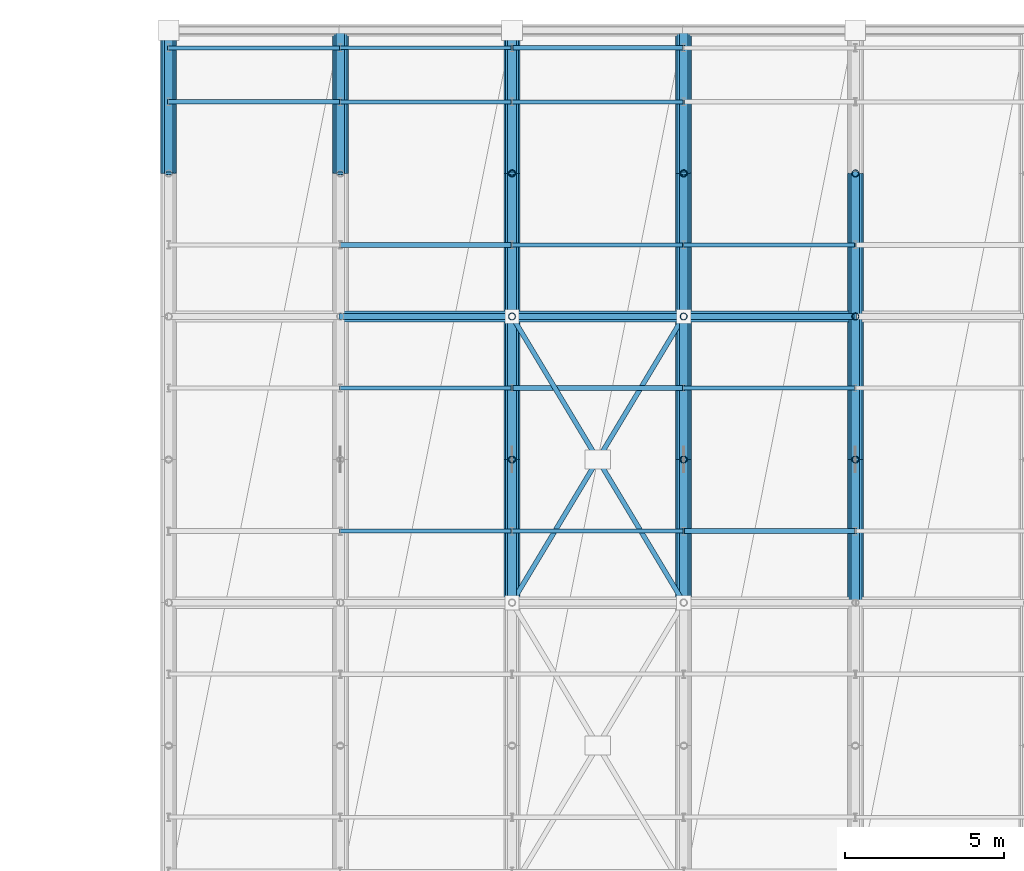
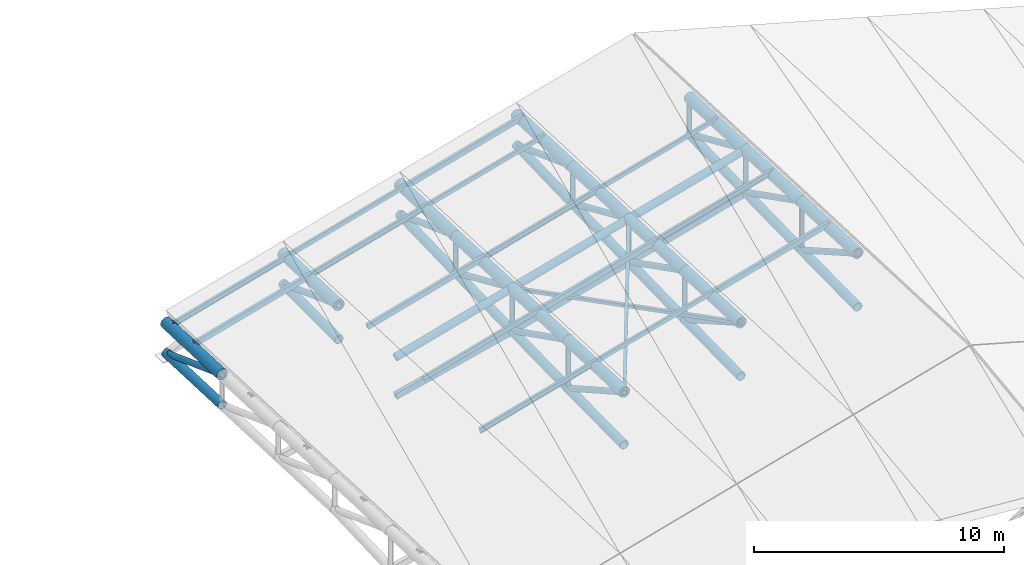
# One storey, part 15 of 109: 46 members, 26 beams.
"""IFC4 building model written with IfcOpenShell, lengths in metres."""

from ifc_helpers import new_model, si_unit, direction, frame, origin, origin_2d, place, context, subcontext, project, spatial, hollow_rectangle, hollow_circle, i_section, extrude, material, material_profile, profile_set, type_object, element, save


model = new_model("IFC4")

# Units and contexts
model_context = context("Model", 3, precision=1e-05, world=origin(), true_north=direction((0.0, 1.0)))
body_context = subcontext(model_context, "Body", "Model", "MODEL_VIEW")
ifc_project = project(units=[si_unit("LENGTHUNIT", "METRE"), si_unit("AREAUNIT", "SQUARE_METRE"), si_unit("VOLUMEUNIT", "CUBIC_METRE"), si_unit("PLANEANGLEUNIT", "RADIAN"), si_unit("MASSUNIT", "GRAM", prefix="KILO")], contexts=[model_context])

# Site, building, storey
site_placement = place(None, origin())
site = spatial("IfcSite", under=ifc_project, at=site_placement, CompositionType="ELEMENT")
building_placement = place(site_placement, origin())
building = spatial("IfcBuilding", under=site, at=building_placement, Name="Suirenkawa Promenade Aquatics Centre", CompositionType="ELEMENT")
storey_placement = place(building_placement, frame((0.0, 0.0, 22.800048828125)))
storey = spatial("IfcBuildingStorey", under=building, at=storey_placement, Name="ROOF", CompositionType="ELEMENT", Elevation=22.800048828125)

# Beams
ifc_material = material(Name="Steel IS 2062 E350 (Grade 350)", Category="steel")
ifc_material_profile_1 = material_profile(ifc_material, hollow_circle(Radius=0.202880859375, WallThickness=0.01806640625, at=origin_2d()), Name="CHS 406x18", Category="steel")
ifc_profile_set_1 = profile_set([ifc_material_profile_1], Name="Steel IS 2062 E350 (Grade 350)")
beam_type_1 = type_object("IfcBeamType", Name="BT-BC-CHS406", PredefinedType="BEAM", material=ifc_profile_set_1)
beam_1_placement = place(storey_placement, frame((46.800048828125, 117.89990234375, -11.59716796875), z_axis=(0.0, 0.999175384927, -0.040602341759), x_axis=(-1.0, 0.0, 0.0)))
element("IfcBeam", 1, at=beam_1_placement, inside=storey, type_object=beam_type_1, Name="ROOF TRUSS V1 bottom chord BC-01 BM-1834", PredefinedType="BEAM", context=body_context, shape_type="SweptSolid", body=[
    extrude(hollow_circle(Radius=0.202880859375, WallThickness=0.01806640625, at=origin_2d()), origin(), (0.0, 0.0, 1.0), 4.503662109375),
])
beam_2_placement = place(storey_placement, frame((52.199951171875, 117.89990234375, -10.300048828125), z_axis=(0.0, 0.999990104304, 0.004448740698), x_axis=(-1.0, 0.0, 0.0)))
element("IfcBeam", 2, at=beam_2_placement, inside=storey, type_object=beam_type_1, Name="ROOF TRUSS V1 bottom chord BC-01 BM-1862", PredefinedType="BEAM", context=body_context, shape_type="SweptSolid", body=[
    extrude(hollow_circle(Radius=0.202880859375, WallThickness=0.01806640625, at=origin_2d()), origin(), (0.0, 0.0, 1.0), 4.5),
])
beam_3_placement = place(storey_placement, frame((57.60009765625, 104.39990234375, -9.154052734375), z_axis=(0.0, 0.99992550252, 0.012206121857), x_axis=(-1.0, 0.0, 0.0)))
element("IfcBeam", 3, at=beam_3_placement, inside=storey, type_object=beam_type_1, Name="ROOF TRUSS V1 bottom chord BC-01 BM-1884", PredefinedType="BEAM", context=body_context, shape_type="SweptSolid", body=[
    extrude(hollow_circle(Radius=0.202880859375, WallThickness=0.01806640625, at=origin_2d()), origin(), (0.0, 0.0, 1.0), 4.500244140625),
])
beam_4_placement = place(storey_placement, frame((57.60009765625, 108.89990234375, -9.09912109375), z_axis=(0.0, 0.999812483562, 0.019364857673), x_axis=(-1.0, 0.0, 0.0)))
element("IfcBeam", 4, at=beam_4_placement, inside=storey, type_object=beam_type_1, Name="ROOF TRUSS V1 bottom chord BC-01 BM-1886", PredefinedType="BEAM", context=body_context, shape_type="SweptSolid", body=[
    extrude(hollow_circle(Radius=0.202880859375, WallThickness=0.01806640625, at=origin_2d()), origin(), (0.0, 0.0, 1.0), 4.500732421875),
])
beam_5_placement = place(storey_placement, frame((57.60009765625, 113.39990234375, -9.011962890625), z_axis=(0.0, 0.999702109937, 0.024406789793), x_axis=(-1.0, 0.0, 0.0)))
element("IfcBeam", 5, at=beam_5_placement, inside=storey, type_object=beam_type_1, Name="ROOF TRUSS V1 bottom chord BC-01 BM-1888", PredefinedType="BEAM", context=body_context, shape_type="SweptSolid", body=[
    extrude(hollow_circle(Radius=0.202880859375, WallThickness=0.01806640625, at=origin_2d()), origin(), (0.0, 0.0, 1.0), 4.501220703125),
])
beam_6_placement = place(storey_placement, frame((57.60009765625, 117.89990234375, -8.902099609375), z_axis=(0.0, 0.999632273028, 0.027116760879), x_axis=(-1.0, 0.0, 0.0)))
element("IfcBeam", 6, at=beam_6_placement, inside=storey, type_object=beam_type_1, Name="ROOF TRUSS V1 bottom chord BC-01 BM-1890", PredefinedType="BEAM", context=body_context, shape_type="SweptSolid", body=[
    extrude(hollow_circle(Radius=0.202880859375, WallThickness=0.01806640625, at=origin_2d()), origin(), (0.0, 0.0, 1.0), 4.501708984375),
])
beam_7_placement = place(storey_placement, frame((63.0, 104.39990234375, -7.693115234375), z_axis=(0.0, 0.999902050848, 0.0139960248), x_axis=(-1.0, 0.0, 0.0)))
element("IfcBeam", 7, at=beam_7_placement, inside=storey, type_object=beam_type_1, Name="ROOF TRUSS V1 bottom chord BC-01 BM-1912", PredefinedType="BEAM", context=body_context, shape_type="SweptSolid", body=[
    extrude(hollow_circle(Radius=0.202880859375, WallThickness=0.01806640625, at=origin_2d()), origin(), (0.0, 0.0, 1.0), 4.50048828125),
])
beam_8_placement = place(storey_placement, frame((63.0, 108.89990234375, -7.630126953125), z_axis=(0.0, 0.999766955215, 0.021587849836), x_axis=(-1.0, 0.0, 0.0)))
element("IfcBeam", 8, at=beam_8_placement, inside=storey, type_object=beam_type_1, Name="ROOF TRUSS V1 bottom chord BC-01 BM-1914", PredefinedType="BEAM", context=body_context, shape_type="SweptSolid", body=[
    extrude(hollow_circle(Radius=0.202880859375, WallThickness=0.01806640625, at=origin_2d()), origin(), (0.0, 0.0, 1.0), 4.5009765625),
])
beam_9_placement = place(storey_placement, frame((63.0, 113.39990234375, -7.532958984375), z_axis=(0.0, 0.999645385078, 0.026629008468), x_axis=(-1.0, 0.0, 0.0)))
element("IfcBeam", 9, at=beam_9_placement, inside=storey, type_object=beam_type_1, Name="ROOF TRUSS V1 bottom chord BC-01 BM-1916", PredefinedType="BEAM", context=body_context, shape_type="SweptSolid", body=[
    extrude(hollow_circle(Radius=0.202880859375, WallThickness=0.01806640625, at=origin_2d()), origin(), (0.0, 0.0, 1.0), 4.501708984375),
])
beam_10_placement = place(storey_placement, frame((63.0, 117.89990234375, -7.4130859375), z_axis=(0.0, 0.999563148904, 0.029555225486), x_axis=(-1.0, 0.0, 0.0)))
element("IfcBeam", 10, at=beam_10_placement, inside=storey, type_object=beam_type_1, Name="ROOF TRUSS V1 bottom chord BC-01 BM-1918", PredefinedType="BEAM", context=body_context, shape_type="SweptSolid", body=[
    extrude(hollow_circle(Radius=0.202880859375, WallThickness=0.01806640625, at=origin_2d()), origin(), (0.0, 0.0, 1.0), 4.501953125),
])
beam_11_placement = place(storey_placement, frame((68.39990234375, 104.39990234375, -6.193115234375), z_axis=(0.0, 0.999902050848, 0.0139960248), x_axis=(-1.0, 0.0, 0.0)))
element("IfcBeam", 11, at=beam_11_placement, inside=storey, type_object=beam_type_1, Name="ROOF TRUSS V1 bottom chord BC-01 BM-1940", PredefinedType="BEAM", context=body_context, shape_type="SweptSolid", body=[
    extrude(hollow_circle(Radius=0.202880859375, WallThickness=0.01806640625, at=origin_2d()), origin(), (0.0, 0.0, 1.0), 4.50048828125),
])
beam_12_placement = place(storey_placement, frame((68.39990234375, 108.89990234375, -6.130126953125), z_axis=(0.0, 0.999766955215, 0.021587849836), x_axis=(-1.0, 0.0, 0.0)))
element("IfcBeam", 12, at=beam_12_placement, inside=storey, type_object=beam_type_1, Name="ROOF TRUSS V1 bottom chord BC-01 BM-1942", PredefinedType="BEAM", context=body_context, shape_type="SweptSolid", body=[
    extrude(hollow_circle(Radius=0.202880859375, WallThickness=0.01806640625, at=origin_2d()), origin(), (0.0, 0.0, 1.0), 4.5009765625),
])
beam_13_placement = place(storey_placement, frame((68.39990234375, 113.39990234375, -6.032958984375), z_axis=(0.0, 0.999645385078, 0.026629008468), x_axis=(-1.0, 0.0, 0.0)))
element("IfcBeam", 13, at=beam_13_placement, inside=storey, type_object=beam_type_1, Name="ROOF TRUSS V1 bottom chord BC-01 BM-1944", PredefinedType="BEAM", context=body_context, shape_type="SweptSolid", body=[
    extrude(hollow_circle(Radius=0.202880859375, WallThickness=0.01806640625, at=origin_2d()), origin(), (0.0, 0.0, 1.0), 4.501708984375),
])
ifc_material_profile_2 = material_profile(ifc_material, hollow_circle(Radius=0.25390625, WallThickness=0.02392578125, at=origin_2d()), Name="CHS 508x24", Category="steel")
ifc_profile_set_2 = profile_set([ifc_material_profile_2], Name="Steel IS 2062 E350 (Grade 350)")
beam_type_2 = type_object("IfcBeamType", Name="BT-TC-CHS508", PredefinedType="BEAM", material=ifc_profile_set_2)
for number, where, z_axis, x_axis, name in (
    (14, (46.800048828125, 117.89990234375, -10.116943359375), (0.0, 0.999173184279, -0.040656460949), (-1.0, 0.0, 0.0), "ROOF TRUSS V1 top chord TC-02 BM-1833"),
    (15, (52.199951171875, 117.89990234375, -8.616943359375), (0.0, 0.999173184279, -0.040656460949), (-1.0, 0.0, 0.0), "ROOF TRUSS V1 top chord TC-02 BM-1861"),
    (16, (57.60009765625, 104.39990234375, -6.567138671875), (0.0, 0.999175384927, -0.040602341759), (-1.0, 0.0, 0.0), "ROOF TRUSS V1 top chord TC-02 BM-1883"),
    (17, (57.60009765625, 108.89990234375, -6.75), (0.0, 0.999173184279, -0.040656460949), (-1.0, 0.0, 0.0), "ROOF TRUSS V1 top chord TC-02 BM-1885"),
    (18, (57.60009765625, 113.39990234375, -6.93310546875), (0.0, 0.999166564808, -0.040818816368), (-1.0, 0.0, 0.0), "ROOF TRUSS V1 top chord TC-02 BM-1887"),
    (19, (57.60009765625, 117.89990234375, -7.116943359375), (0.0, 0.999173184279, -0.040656460949), (-1.0, 0.0, 0.0), "ROOF TRUSS V1 top chord TC-02 BM-1889"),
    (20, (63.0, 104.39990234375, -5.067138671875), (0.0, 0.999175384927, -0.040602341759), (-1.0, 0.0, 0.0), "ROOF TRUSS V1 top chord TC-02 BM-1911"),
    (21, (63.0, 108.89990234375, -5.25), (0.0, 0.999173184279, -0.040656460949), (-1.0, 0.0, 0.0), "ROOF TRUSS V1 top chord TC-02 BM-1913"),
    (22, (63.0, 113.39990234375, -5.43310546875), (0.0, 0.999166564808, -0.040818816368), (-1.0, 0.0, 0.0), "ROOF TRUSS V1 top chord TC-02 BM-1915"),
    (23, (63.0, 117.89990234375, -5.616943359375), (0.0, 0.999173184279, -0.040656460949), (-1.0, 0.0, 0.0), "ROOF TRUSS V1 top chord TC-02 BM-1917"),
    (24, (68.39990234375, 104.39990234375, -3.567138671875), (0.0, 0.999175384927, -0.040602341759), (-1.0, 0.0, 0.0), "ROOF TRUSS V1 top chord TC-02 BM-1939"),
    (25, (68.39990234375, 108.89990234375, -3.75), (0.0, 0.999173184279, -0.040656460949), (-1.0, 0.0, 0.0), "ROOF TRUSS V1 top chord TC-02 BM-1941"),
    (26, (68.39990234375, 113.39990234375, -3.93310546875), (0.0, 0.999166564808, -0.040818816368), (-1.0, 0.0, 0.0), "ROOF TRUSS V1 top chord TC-02 BM-1943"),
):
    element("IfcBeam", number, at=place(storey_placement, frame(where, z_axis=z_axis, x_axis=x_axis)), inside=storey, type_object=beam_type_2, Name=name, PredefinedType="BEAM", context=body_context, shape_type="SweptSolid", body=[
        extrude(hollow_circle(Radius=0.25390625, WallThickness=0.02392578125, at=origin_2d()), origin(), (0.0, 0.0, 1.0), 4.503662109375),
    ])

# Members
ifc_material_profile_3 = material_profile(ifc_material, hollow_rectangle(XDim=0.14990234375, YDim=0.14990234375, WallThickness=0.008056640625, at=origin_2d()), Name="SHS 150x150x8", Category="steel")
ifc_profile_set_3 = profile_set([ifc_material_profile_3], Name="Steel IS 2062 E350 (Grade 350)")
member_type_1 = type_object("IfcMemberType", Name="MT-BRACE-SHS150", PredefinedType="BRACE", material=ifc_profile_set_3)
member_1_placement = place(storey_placement, frame((57.60009765625, 104.39990234375, -6.567138671875), z_axis=(0.511511800204, 0.85253508467, 0.107422565872), x_axis=(-0.857497030584, 0.514488913912, 0.0)))
element("IfcMember", 27, at=member_1_placement, inside=storey, type_object=member_type_1, Name="ROOF TRUSS V1 continuous plan brace BF-02 MB-0938", PredefinedType="BRACE", context=body_context, shape_type="SweptSolid", body=[
    extrude(hollow_rectangle(XDim=0.14990234375, YDim=0.14990234375, WallThickness=0.008056640625, at=origin_2d()), origin(), (0.0, 0.0, 1.0), 10.556640625),
])
for number, where, z_axis, x_axis, name in (
    (28, (63.0, 104.39990234375, -5.067138671875), (-0.506581790783, 0.84424092065, -0.175020447794), (-0.857476239003, -0.514523565588, 0.0), "ROOF TRUSS V1 split plan brace A BF-02 MB-0939"),
    (29, (60.257080078125, 108.971923828125, -6.01513671875), (-0.506581790783, 0.84424092065, -0.175020447794), (-0.857476239003, -0.514523565588, 0.0), "ROOF TRUSS V1 split plan brace B BF-02 MB-0940"),
):
    element("IfcMember", number, at=place(storey_placement, frame(where, z_axis=z_axis, x_axis=x_axis)), inside=storey, type_object=member_type_1, Name=name, PredefinedType="BRACE", context=body_context, shape_type="SweptSolid", body=[
        extrude(hollow_rectangle(XDim=0.14990234375, YDim=0.14990234375, WallThickness=0.008056640625, at=origin_2d()), origin(), (0.0, 0.0, 1.0), 5.244873046875),
    ])
ifc_material_profile_4 = material_profile(ifc_material, hollow_circle(Radius=0.177978515625, WallThickness=0.01611328125, at=origin_2d()), Name="CHS 356x16", Category="steel")
ifc_profile_set_4 = profile_set([ifc_material_profile_4], Name="Steel IS 2062 E350 (Grade 350)")
member_type_2 = type_object("IfcMemberType", Name="MT-CHORD-CHS356", PredefinedType="CHORD", material=ifc_profile_set_4)
member_2_placement = place(storey_placement, frame((52.199951171875, 113.39990234375, -8.43310546875), z_axis=(0.963519781844, 0.0, 0.267637123724), x_axis=(0.0, 1.0, 0.0)))
element("IfcMember", 30, at=member_2_placement, inside=storey, type_object=member_type_2, Name="ROOF TRUSS V1 tie chord CH-02 MB-0890", PredefinedType="CHORD", context=body_context, shape_type="SweptSolid", body=[
    extrude(hollow_circle(Radius=0.177978515625, WallThickness=0.01611328125, at=origin_2d()), origin(), (0.0, 0.0, 1.0), 5.6044921875),
])
for number, where, z_axis, x_axis, name in (
    (31, (57.60009765625, 113.39990234375, -6.93310546875), (0.963516661409, 0.0, 0.267648357342), (0.0, 1.0, 0.0), "ROOF TRUSS V1 tie chord CH-02 MB-0892"),
    (32, (63.0, 113.39990234375, -5.43310546875), (0.963516661409, 0.0, 0.267648357342), (0.0, 1.0, 0.0), "ROOF TRUSS V1 tie chord CH-02 MB-0894"),
):
    element("IfcMember", number, at=place(storey_placement, frame(where, z_axis=z_axis, x_axis=x_axis)), inside=storey, type_object=member_type_2, Name=name, PredefinedType="CHORD", context=body_context, shape_type="SweptSolid", body=[
        extrude(hollow_circle(Radius=0.177978515625, WallThickness=0.01611328125, at=origin_2d()), origin(), (0.0, 0.0, 1.0), 5.604248046875),
    ])
ifc_material_profile_5 = material_profile(ifc_material, hollow_rectangle(XDim=0.199951171875, YDim=0.300048828125, WallThickness=0.011962890625, at=origin_2d()), Name="RHS 300x200x12", Category="steel")
ifc_profile_set_5 = profile_set([ifc_material_profile_5], Name="Steel IS 2062 E350 (Grade 350)")
member_type_3 = type_object("IfcMemberType", Name="MT-CHORD-RHS300", PredefinedType="CHORD", material=ifc_profile_set_5)
member_3_placement = place(storey_placement, frame((52.199951171875, 113.39990234375, -10.31103515625), z_axis=(0.972263076896, 0.0, 0.233889951271), x_axis=(0.0, 1.0, 0.0)))
element("IfcMember", 33, at=member_3_placement, inside=storey, type_object=member_type_3, Name="ROOF TRUSS V1 bottom tie CH-03 MB-0891", PredefinedType="CHORD", context=body_context, shape_type="SweptSolid", body=[
    extrude(hollow_rectangle(XDim=0.199951171875, YDim=0.300048828125, WallThickness=0.011962890625, at=origin_2d()), origin(), (0.0, 0.0, 1.0), 5.55419921875),
])
member_4_placement = place(storey_placement, frame((57.60009765625, 113.39990234375, -9.011962890625), z_axis=(0.96447746515, 0.0, 0.264165136264), x_axis=(0.0, 1.0, 0.0)))
element("IfcMember", 34, at=member_4_placement, inside=storey, type_object=member_type_3, Name="ROOF TRUSS V1 bottom tie CH-03 MB-0893", PredefinedType="CHORD", context=body_context, shape_type="SweptSolid", body=[
    extrude(hollow_rectangle(XDim=0.199951171875, YDim=0.300048828125, WallThickness=0.011962890625, at=origin_2d()), origin(), (0.0, 0.0, 1.0), 5.598876953125),
])
member_5_placement = place(storey_placement, frame((63.0, 113.39990234375, -7.532958984375), z_axis=(0.963516661409, 0.0, 0.267648357342), x_axis=(0.0, 1.0, 0.0)))
element("IfcMember", 35, at=member_5_placement, inside=storey, type_object=member_type_3, Name="ROOF TRUSS V1 bottom tie CH-03 MB-0895", PredefinedType="CHORD", context=body_context, shape_type="SweptSolid", body=[
    extrude(hollow_rectangle(XDim=0.199951171875, YDim=0.300048828125, WallThickness=0.011962890625, at=origin_2d()), origin(), (0.0, 0.0, 1.0), 5.604248046875),
])
ifc_material_profile_6 = material_profile(ifc_material, i_section(OverallWidth=0.125, OverallDepth=0.25, WebThickness=0.007080078125, FlangeThickness=0.012939453125, at=origin_2d()), Name="ISMB 250", Category="steel")
ifc_profile_set_6 = profile_set([ifc_material_profile_6], Name="Steel IS 2062 E350 (Grade 350)")
member_type_4 = type_object("IfcMemberType", Name="MT-PURLIN-ISMB250", PredefinedType="PURLIN", material=ifc_profile_set_6)
member_6_placement = place(storey_placement, frame((46.800048828125, 121.85009765625, -10.049072265625), z_axis=(0.963516661409, 0.0, 0.267648357342), x_axis=(0.0, 1.0, 0.0)))
element("IfcMember", 36, at=member_6_placement, inside=storey, type_object=member_type_4, Name="ROOF TRUSS Roof purlin PU-04 MB-1720", PredefinedType="PURLIN", context=body_context, shape_type="SweptSolid", body=[
    extrude(i_section(OverallWidth=0.125, OverallDepth=0.25, WebThickness=0.007080078125, FlangeThickness=0.012939453125, at=origin_2d()), origin(), (0.0, 0.0, 1.0), 5.604248046875),
])
for number, where, z_axis, x_axis, name in (
    (37, (52.199951171875, 106.64990234375, -7.929931640625), (0.963519781844, 0.0, 0.267637123724), (0.0, 1.0, 0.0), "ROOF TRUSS Roof purlin PU-04 MB-1749"),
    (38, (52.199951171875, 120.14990234375, -8.47998046875), (0.963519781844, 0.0, 0.267637123724), (0.0, 1.0, 0.0), "ROOF TRUSS Roof purlin PU-04 MB-1755"),
):
    element("IfcMember", number, at=place(storey_placement, frame(where, z_axis=z_axis, x_axis=x_axis)), inside=storey, type_object=member_type_4, Name=name, PredefinedType="PURLIN", context=body_context, shape_type="SweptSolid", body=[
        extrude(i_section(OverallWidth=0.125, OverallDepth=0.25, WebThickness=0.007080078125, FlangeThickness=0.012939453125, at=origin_2d()), origin(), (0.0, 0.0, 1.0), 5.6044921875),
    ])
for number, where, z_axis, x_axis, name in (
    (39, (57.60009765625, 115.64990234375, -6.797119140625), (0.963516661409, 0.0, 0.267648357342), (0.0, 1.0, 0.0), "ROOF TRUSS Roof purlin PU-04 MB-1789"),
    (40, (63.0, 111.14990234375, -5.113037109375), (0.963516661409, 0.0, 0.267648357342), (0.0, 1.0, 0.0), "ROOF TRUSS Roof purlin PU-04 MB-1823"),
):
    element("IfcMember", number, at=place(storey_placement, frame(where, z_axis=z_axis, x_axis=x_axis)), inside=storey, type_object=member_type_4, Name=name, PredefinedType="PURLIN", context=body_context, shape_type="SweptSolid", body=[
        extrude(i_section(OverallWidth=0.125, OverallDepth=0.25, WebThickness=0.007080078125, FlangeThickness=0.012939453125, at=origin_2d()), origin(), (0.0, 0.0, 1.0), 5.604248046875),
    ])
ifc_material_profile_7 = material_profile(ifc_material, hollow_rectangle(XDim=0.1201171875, YDim=0.199951171875, WallThickness=0.008056640625, at=origin_2d()), Name="RHS 200x120x8", Category="steel")
ifc_profile_set_7 = profile_set([ifc_material_profile_7], Name="Steel IS 2062 E350 (Grade 350)")
member_type_5 = type_object("IfcMemberType", Name="MT-PURLIN-RHS200", PredefinedType="PURLIN", material=ifc_profile_set_7)
for number, where, z_axis, x_axis, name in (
    (41, (52.199951171875, 111.14990234375, -8.088134765625), (0.963519781844, 0.0, 0.267637123724), (0.0, 1.0, 0.0), "ROOF TRUSS Roof purlin PU-02 MB-1751"),
    (42, (52.199951171875, 121.85009765625, -8.524169921875), (0.963519781844, 0.0, 0.267637123724), (0.0, 1.0, 0.0), "ROOF TRUSS Roof purlin PU-02 MB-1757"),
):
    element("IfcMember", number, at=place(storey_placement, frame(where, z_axis=z_axis, x_axis=x_axis)), inside=storey, type_object=member_type_5, Name=name, PredefinedType="PURLIN", context=body_context, shape_type="SweptSolid", body=[
        extrude(hollow_rectangle(XDim=0.1201171875, YDim=0.199951171875, WallThickness=0.008056640625, at=origin_2d()), origin(), (0.0, 0.0, 1.0), 5.6044921875),
    ])
for number, where, z_axis, x_axis, name in (
    (43, (57.60009765625, 106.64990234375, -6.405029296875), (0.963516661409, 0.0, 0.267648357342), (0.0, 1.0, 0.0), "ROOF TRUSS Roof purlin PU-02 MB-1785"),
    (44, (57.60009765625, 120.14990234375, -6.955078125), (0.963516661409, 0.0, 0.267648357342), (0.0, 1.0, 0.0), "ROOF TRUSS Roof purlin PU-02 MB-1791"),
    (45, (63.0, 115.64990234375, -5.27197265625), (0.963516661409, 0.0, 0.267648357342), (0.0, 1.0, 0.0), "ROOF TRUSS Roof purlin PU-02 MB-1825"),
):
    element("IfcMember", number, at=place(storey_placement, frame(where, z_axis=z_axis, x_axis=x_axis)), inside=storey, type_object=member_type_5, Name=name, PredefinedType="PURLIN", context=body_context, shape_type="SweptSolid", body=[
        extrude(hollow_rectangle(XDim=0.1201171875, YDim=0.199951171875, WallThickness=0.008056640625, at=origin_2d()), origin(), (0.0, 0.0, 1.0), 5.604248046875),
    ])
ifc_material_profile_8 = material_profile(ifc_material, hollow_rectangle(XDim=0.14990234375, YDim=0.25, WallThickness=0.010009765625, at=origin_2d()), Name="RHS 250x150x10", Category="steel")
ifc_profile_set_8 = profile_set([ifc_material_profile_8], Name="Steel IS 2062 E350 (Grade 350)")
member_type_6 = type_object("IfcMemberType", Name="MT-PURLIN-RHS250", PredefinedType="PURLIN", material=ifc_profile_set_8)
member_7_placement = place(storey_placement, frame((46.800048828125, 120.14990234375, -9.98095703125), z_axis=(0.963516661409, 0.0, 0.267648357342), x_axis=(0.0, 1.0, 0.0)))
element("IfcMember", 46, at=member_7_placement, inside=storey, type_object=member_type_6, Name="ROOF TRUSS Roof purlin PU-03 MB-1717", PredefinedType="PURLIN", context=body_context, shape_type="SweptSolid", body=[
    extrude(hollow_rectangle(XDim=0.14990234375, YDim=0.25, WallThickness=0.010009765625, at=origin_2d()), origin(), (0.0, 0.0, 1.0), 5.604248046875),
])
member_8_placement = place(storey_placement, frame((52.199951171875, 115.64990234375, -8.297119140625), z_axis=(0.963519781844, 0.0, 0.267637123724), x_axis=(0.0, 1.0, 0.0)))
element("IfcMember", 47, at=member_8_placement, inside=storey, type_object=member_type_6, Name="ROOF TRUSS Roof purlin PU-03 MB-1753", PredefinedType="PURLIN", context=body_context, shape_type="SweptSolid", body=[
    extrude(hollow_rectangle(XDim=0.14990234375, YDim=0.25, WallThickness=0.010009765625, at=origin_2d()), origin(), (0.0, 0.0, 1.0), 5.6044921875),
])
for number, where, z_axis, x_axis, name in (
    (48, (57.60009765625, 111.14990234375, -6.614013671875), (0.963516661409, 0.0, 0.267648357342), (0.0, 1.0, 0.0), "ROOF TRUSS Roof purlin PU-03 MB-1787"),
    (49, (57.60009765625, 121.85009765625, -7.050048828125), (0.963516661409, 0.0, 0.267648357342), (0.0, 1.0, 0.0), "ROOF TRUSS Roof purlin PU-03 MB-1793"),
    (50, (63.0, 106.64990234375, -4.93115234375), (0.963516661409, 0.0, 0.267648357342), (0.0, 1.0, 0.0), "ROOF TRUSS Roof purlin PU-03 MB-1821"),
):
    element("IfcMember", number, at=place(storey_placement, frame(where, z_axis=z_axis, x_axis=x_axis)), inside=storey, type_object=member_type_6, Name=name, PredefinedType="PURLIN", context=body_context, shape_type="SweptSolid", body=[
        extrude(hollow_rectangle(XDim=0.14990234375, YDim=0.25, WallThickness=0.010009765625, at=origin_2d()), origin(), (0.0, 0.0, 1.0), 5.604248046875),
    ])
ifc_material_profile_9 = material_profile(ifc_material, hollow_circle(Radius=0.110107421875, WallThickness=0.010009765625, at=origin_2d()), Name="CHS 220x10", Category="steel")
ifc_profile_set_9 = profile_set([ifc_material_profile_9], Name="Steel IS 2062 E350 (Grade 350)")
member_type_7 = type_object("IfcMemberType", Name="MT-WEB-CHS220", PredefinedType="BRACE", material=ifc_profile_set_9)
member_9_placement = place(storey_placement, frame((57.60009765625, 108.89990234375, -9.09912109375), z_axis=(0.0, 0.0, 1.0), x_axis=(1.0, 0.0, 0.0)))
element("IfcMember", 51, at=member_9_placement, inside=storey, type_object=member_type_7, Name="ROOF TRUSS V1 web post TD-01 MB-0079", PredefinedType="BRACE", context=body_context, shape_type="SweptSolid", body=[
    extrude(hollow_circle(Radius=0.110107421875, WallThickness=0.010009765625, at=origin_2d()), origin(), (0.0, 0.0, 1.0), 2.34912109375),
])
member_10_placement = place(storey_placement, frame((57.60009765625, 113.39990234375, -9.011962890625), z_axis=(0.0, 0.0, 1.0), x_axis=(1.0, 0.0, 0.0)))
element("IfcMember", 52, at=member_10_placement, inside=storey, type_object=member_type_7, Name="ROOF TRUSS V1 web post TD-01 MB-0080", PredefinedType="BRACE", context=body_context, shape_type="SweptSolid", body=[
    extrude(hollow_circle(Radius=0.110107421875, WallThickness=0.010009765625, at=origin_2d()), origin(), (0.0, 0.0, 1.0), 2.078857421875),
])
member_11_placement = place(storey_placement, frame((57.60009765625, 117.89990234375, -8.902099609375), z_axis=(0.0, 0.0, 1.0), x_axis=(1.0, 0.0, 0.0)))
element("IfcMember", 53, at=member_11_placement, inside=storey, type_object=member_type_7, Name="ROOF TRUSS V1 web post TD-01 MB-0081", PredefinedType="BRACE", context=body_context, shape_type="SweptSolid", body=[
    extrude(hollow_circle(Radius=0.110107421875, WallThickness=0.010009765625, at=origin_2d()), origin(), (0.0, 0.0, 1.0), 1.78515625),
])
member_12_placement = place(storey_placement, frame((63.0, 108.89990234375, -7.630126953125), z_axis=(0.0, 0.0, 1.0), x_axis=(1.0, 0.0, 0.0)))
element("IfcMember", 54, at=member_12_placement, inside=storey, type_object=member_type_7, Name="ROOF TRUSS V1 web post TD-01 MB-0106", PredefinedType="BRACE", context=body_context, shape_type="SweptSolid", body=[
    extrude(hollow_circle(Radius=0.110107421875, WallThickness=0.010009765625, at=origin_2d()), origin(), (0.0, 0.0, 1.0), 2.380126953125),
])
member_13_placement = place(storey_placement, frame((63.0, 113.39990234375, -7.532958984375), z_axis=(0.0, 0.0, 1.0), x_axis=(1.0, 0.0, 0.0)))
element("IfcMember", 55, at=member_13_placement, inside=storey, type_object=member_type_7, Name="ROOF TRUSS V1 web post TD-01 MB-0107", PredefinedType="BRACE", context=body_context, shape_type="SweptSolid", body=[
    extrude(hollow_circle(Radius=0.110107421875, WallThickness=0.010009765625, at=origin_2d()), origin(), (0.0, 0.0, 1.0), 2.099853515625),
])
member_14_placement = place(storey_placement, frame((63.0, 117.89990234375, -7.4130859375), z_axis=(0.0, 0.0, 1.0), x_axis=(1.0, 0.0, 0.0)))
element("IfcMember", 56, at=member_14_placement, inside=storey, type_object=member_type_7, Name="ROOF TRUSS V1 web post TD-01 MB-0108", PredefinedType="BRACE", context=body_context, shape_type="SweptSolid", body=[
    extrude(hollow_circle(Radius=0.110107421875, WallThickness=0.010009765625, at=origin_2d()), origin(), (0.0, 0.0, 1.0), 1.796142578125),
])
member_15_placement = place(storey_placement, frame((68.39990234375, 108.89990234375, -6.130126953125), z_axis=(0.0, 0.0, 1.0), x_axis=(1.0, 0.0, 0.0)))
element("IfcMember", 57, at=member_15_placement, inside=storey, type_object=member_type_7, Name="ROOF TRUSS V1 web post TD-01 MB-0133", PredefinedType="BRACE", context=body_context, shape_type="SweptSolid", body=[
    extrude(hollow_circle(Radius=0.110107421875, WallThickness=0.010009765625, at=origin_2d()), origin(), (0.0, 0.0, 1.0), 2.380126953125),
])
member_16_placement = place(storey_placement, frame((68.39990234375, 113.39990234375, -6.032958984375), z_axis=(0.0, 0.0, 1.0), x_axis=(1.0, 0.0, 0.0)))
element("IfcMember", 58, at=member_16_placement, inside=storey, type_object=member_type_7, Name="ROOF TRUSS V1 web post TD-01 MB-0134", PredefinedType="BRACE", context=body_context, shape_type="SweptSolid", body=[
    extrude(hollow_circle(Radius=0.110107421875, WallThickness=0.010009765625, at=origin_2d()), origin(), (0.0, 0.0, 1.0), 2.099853515625),
])
member_17_placement = place(storey_placement, frame((68.39990234375, 117.89990234375, -5.9130859375), z_axis=(0.0, 0.0, 1.0), x_axis=(1.0, 0.0, 0.0)))
element("IfcMember", 59, at=member_17_placement, inside=storey, type_object=member_type_7, Name="ROOF TRUSS V1 web post TD-01 MB-0135", PredefinedType="BRACE", context=body_context, shape_type="SweptSolid", body=[
    extrude(hollow_circle(Radius=0.110107421875, WallThickness=0.010009765625, at=origin_2d()), origin(), (0.0, 0.0, 1.0), 1.796142578125),
])
ifc_material_profile_10 = material_profile(ifc_material, hollow_circle(Radius=0.136962890625, WallThickness=0.011962890625, at=origin_2d()), Name="CHS 274x12", Category="steel")
ifc_profile_set_10 = profile_set([ifc_material_profile_10], Name="Steel IS 2062 E350 (Grade 350)")
member_type_8 = type_object("IfcMemberType", Name="MT-WEB-CHS274", PredefinedType="BRACE", material=ifc_profile_set_10)
for number, where, z_axis, x_axis, name in (
    (60, (46.800048828125, 117.89990234375, -10.116943359375), (0.0, 0.937991621065, -0.346657927664), (-1.0, 0.0, 0.0), "ROOF TRUSS V1 web diagonal TD-02 MB-0014"),
    (61, (52.199951171875, 117.89990234375, -8.616943359375), (0.0, 0.937991621065, -0.346657927664), (-1.0, 0.0, 0.0), "ROOF TRUSS V1 web diagonal TD-02 MB-0041"),
):
    element("IfcMember", number, at=place(storey_placement, frame(where, z_axis=z_axis, x_axis=x_axis)), inside=storey, type_object=member_type_8, Name=name, PredefinedType="BRACE", context=body_context, shape_type="SweptSolid", body=[
        extrude(hollow_circle(Radius=0.136962890625, WallThickness=0.011962890625, at=origin_2d()), origin(), (0.0, 0.0, 1.0), 4.79736328125),
    ])
member_18_placement = place(storey_placement, frame((57.60009765625, 104.39990234375, -6.567138671875), z_axis=(0.0, 0.871514918799, -0.490368989956), x_axis=(-1.0, 0.0, 0.0)))
element("IfcMember", 62, at=member_18_placement, inside=storey, type_object=member_type_8, Name="ROOF TRUSS V1 web diagonal TD-02 MB-0065", PredefinedType="BRACE", context=body_context, shape_type="SweptSolid", body=[
    extrude(hollow_circle(Radius=0.136962890625, WallThickness=0.011962890625, at=origin_2d()), origin(), (0.0, 0.0, 1.0), 5.163330078125),
])
member_19_placement = place(storey_placement, frame((57.60009765625, 108.89990234375, -6.75), z_axis=(0.0, 0.893475079694, -0.449112771992), x_axis=(-1.0, 0.0, 0.0)))
element("IfcMember", 63, at=member_19_placement, inside=storey, type_object=member_type_8, Name="ROOF TRUSS V1 web diagonal TD-02 MB-0066", PredefinedType="BRACE", context=body_context, shape_type="SweptSolid", body=[
    extrude(hollow_circle(Radius=0.136962890625, WallThickness=0.011962890625, at=origin_2d()), origin(), (0.0, 0.0, 1.0), 5.03662109375),
])
member_20_placement = place(storey_placement, frame((57.60009765625, 113.39990234375, -6.93310546875), z_axis=(0.0, 0.916139082092, -0.400860552142), x_axis=(-1.0, 0.0, 0.0)))
element("IfcMember", 64, at=member_20_placement, inside=storey, type_object=member_type_8, Name="ROOF TRUSS V1 web diagonal TD-02 MB-0067", PredefinedType="BRACE", context=body_context, shape_type="SweptSolid", body=[
    extrude(hollow_circle(Radius=0.136962890625, WallThickness=0.011962890625, at=origin_2d()), origin(), (0.0, 0.0, 1.0), 4.911865234375),
])
member_21_placement = place(storey_placement, frame((57.60009765625, 117.89990234375, -7.116943359375), z_axis=(0.0, 0.937991621065, -0.346657927664), x_axis=(-1.0, 0.0, 0.0)))
element("IfcMember", 65, at=member_21_placement, inside=storey, type_object=member_type_8, Name="ROOF TRUSS V1 web diagonal TD-02 MB-0068", PredefinedType="BRACE", context=body_context, shape_type="SweptSolid", body=[
    extrude(hollow_circle(Radius=0.136962890625, WallThickness=0.011962890625, at=origin_2d()), origin(), (0.0, 0.0, 1.0), 4.79736328125),
])
member_22_placement = place(storey_placement, frame((63.0, 104.39990234375, -5.067138671875), z_axis=(0.0, 0.868944344581, -0.494909816049), x_axis=(-1.0, 0.0, 0.0)))
element("IfcMember", 66, at=member_22_placement, inside=storey, type_object=member_type_8, Name="ROOF TRUSS V1 web diagonal TD-02 MB-0092", PredefinedType="BRACE", context=body_context, shape_type="SweptSolid", body=[
    extrude(hollow_circle(Radius=0.136962890625, WallThickness=0.011962890625, at=origin_2d()), origin(), (0.0, 0.0, 1.0), 5.1787109375),
])
member_23_placement = place(storey_placement, frame((63.0, 108.89990234375, -5.25), z_axis=(0.0, 0.891799234032, -0.452431349687), x_axis=(-1.0, 0.0, 0.0)))
element("IfcMember", 67, at=member_23_placement, inside=storey, type_object=member_type_8, Name="ROOF TRUSS V1 web diagonal TD-02 MB-0093", PredefinedType="BRACE", context=body_context, shape_type="SweptSolid", body=[
    extrude(hollow_circle(Radius=0.136962890625, WallThickness=0.011962890625, at=origin_2d()), origin(), (0.0, 0.0, 1.0), 5.0458984375),
])
member_24_placement = place(storey_placement, frame((63.0, 113.39990234375, -5.43310546875), z_axis=(0.0, 0.915316496894, -0.402735285906), x_axis=(-1.0, 0.0, 0.0)))
element("IfcMember", 68, at=member_24_placement, inside=storey, type_object=member_type_8, Name="ROOF TRUSS V1 web diagonal TD-02 MB-0094", PredefinedType="BRACE", context=body_context, shape_type="SweptSolid", body=[
    extrude(hollow_circle(Radius=0.136962890625, WallThickness=0.011962890625, at=origin_2d()), origin(), (0.0, 0.0, 1.0), 4.916259765625),
])
member_25_placement = place(storey_placement, frame((63.0, 117.89990234375, -5.616943359375), z_axis=(0.0, 0.937991621065, -0.346657927664), x_axis=(-1.0, 0.0, 0.0)))
element("IfcMember", 69, at=member_25_placement, inside=storey, type_object=member_type_8, Name="ROOF TRUSS V1 web diagonal TD-02 MB-0095", PredefinedType="BRACE", context=body_context, shape_type="SweptSolid", body=[
    extrude(hollow_circle(Radius=0.136962890625, WallThickness=0.011962890625, at=origin_2d()), origin(), (0.0, 0.0, 1.0), 4.79736328125),
])
member_26_placement = place(storey_placement, frame((68.39990234375, 104.39990234375, -3.567138671875), z_axis=(0.0, 0.868944344581, -0.494909816049), x_axis=(-1.0, 0.0, 0.0)))
element("IfcMember", 70, at=member_26_placement, inside=storey, type_object=member_type_8, Name="ROOF TRUSS V1 web diagonal TD-02 MB-0119", PredefinedType="BRACE", context=body_context, shape_type="SweptSolid", body=[
    extrude(hollow_circle(Radius=0.136962890625, WallThickness=0.011962890625, at=origin_2d()), origin(), (0.0, 0.0, 1.0), 5.1787109375),
])
member_27_placement = place(storey_placement, frame((68.39990234375, 108.89990234375, -3.75), z_axis=(0.0, 0.891799234032, -0.452431349687), x_axis=(-1.0, 0.0, 0.0)))
element("IfcMember", 71, at=member_27_placement, inside=storey, type_object=member_type_8, Name="ROOF TRUSS V1 web diagonal TD-02 MB-0120", PredefinedType="BRACE", context=body_context, shape_type="SweptSolid", body=[
    extrude(hollow_circle(Radius=0.136962890625, WallThickness=0.011962890625, at=origin_2d()), origin(), (0.0, 0.0, 1.0), 5.0458984375),
])
member_28_placement = place(storey_placement, frame((68.39990234375, 113.39990234375, -3.93310546875), z_axis=(0.0, 0.915316496894, -0.402735285906), x_axis=(-1.0, 0.0, 0.0)))
element("IfcMember", 72, at=member_28_placement, inside=storey, type_object=member_type_8, Name="ROOF TRUSS V1 web diagonal TD-02 MB-0121", PredefinedType="BRACE", context=body_context, shape_type="SweptSolid", body=[
    extrude(hollow_circle(Radius=0.136962890625, WallThickness=0.011962890625, at=origin_2d()), origin(), (0.0, 0.0, 1.0), 4.916259765625),
])

save(model, "model.ifc")
